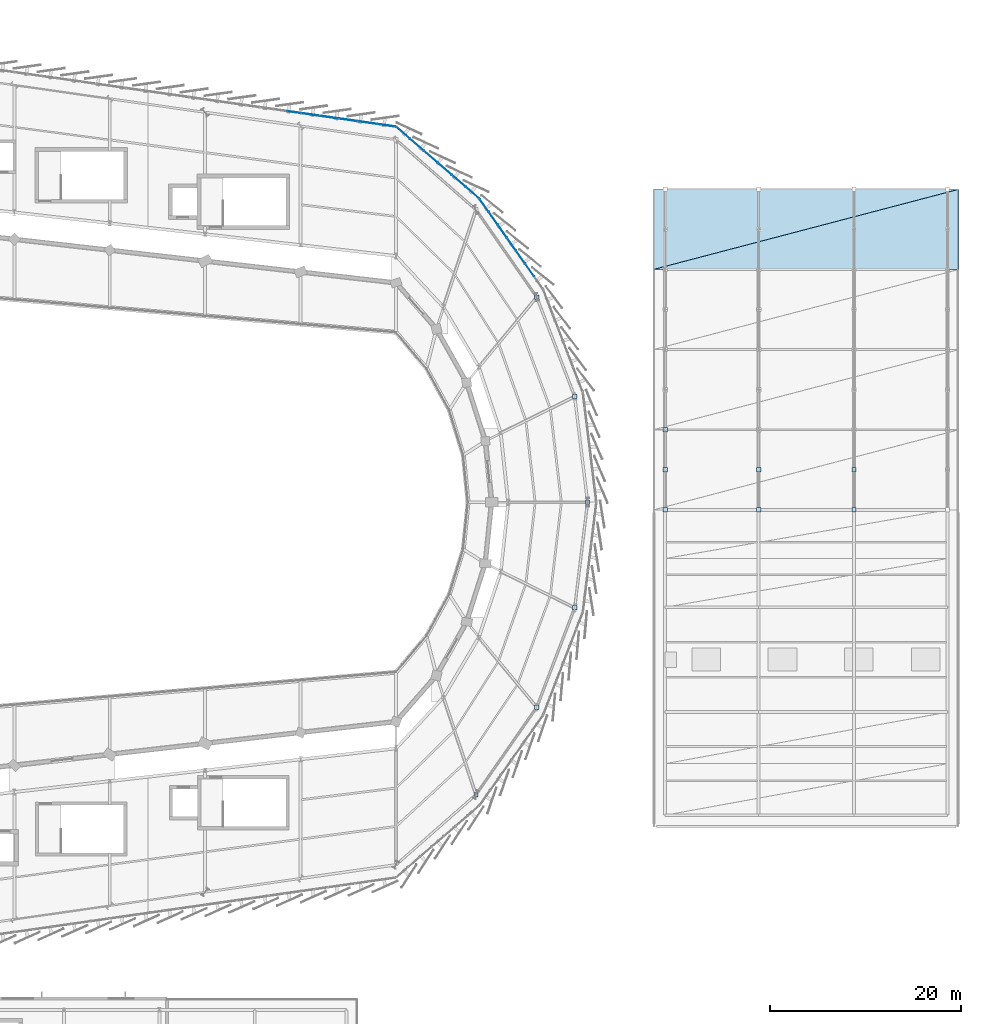
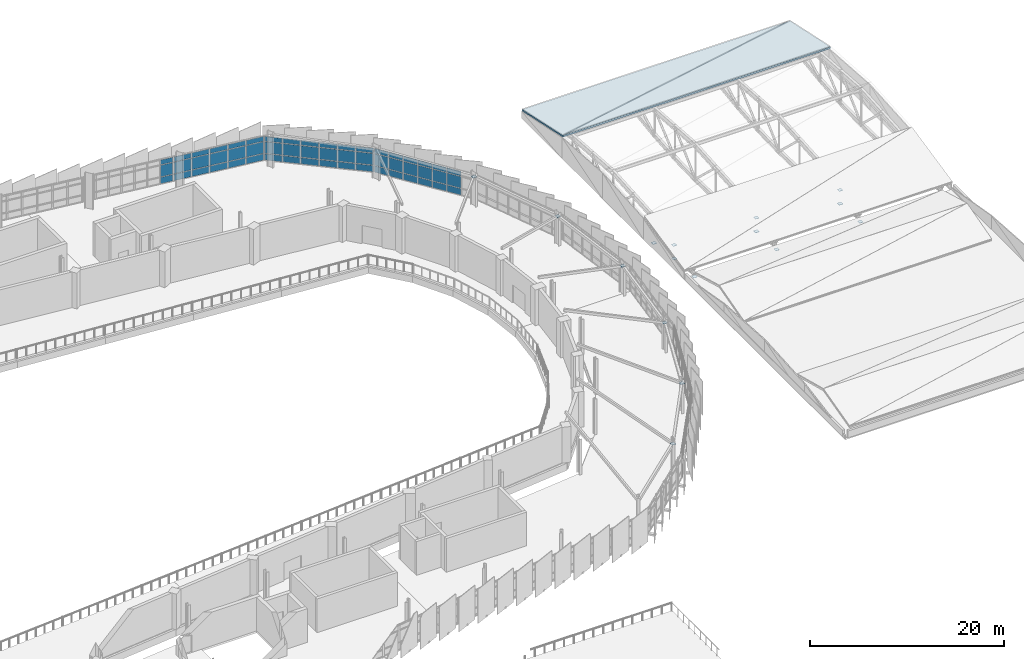
# One storey, part 72 of 87: 70 plates, 2 slabs, 4 elements without a shape of their own.
"""IFC4 building model written with IfcOpenShell, lengths in metres."""

import ifcopenshell
import ifcopenshell.guid

model = None  # the IFC model being written
_history = None  # IfcOwnerHistory: only IFC2X3 demands one
_inside = {}  # id of a spatial element -> (the spatial element, [elements in it])
_under = {}  # id of a project, library or spatial element -> (it, [spatial elements below it])
_declared = {}  # id of a project -> (the project, [libraries it declares])
_typed = {}  # id of a type object -> (the type object, [elements of that type])
_made_of = {}  # id of a material, layer set ... -> (it, [elements and type objects made of it])


def new_model(schema):
    """Start an empty IFC model of exactly this schema.

    Asked for "IFC4X3", IfcOpenShell would pick the latest addendum, in which some entities
    have other attributes; the version numbers below select the first issue.
    IFC2X3 requires an IfcOwnerHistory on every rooted entity: one is made here for all.
    """
    global model, _history
    if schema == "IFC4X3":
        model = ifcopenshell.file(schema_version=(4, 3, 0, 0))
    else:
        model = ifcopenshell.file(schema=schema)
    _inside.clear()
    _under.clear()
    _declared.clear()
    _typed.clear()
    _made_of.clear()
    _history = None
    if model.schema == "IFC2X3":
        org = make("IfcOrganization", Name="unknown")
        user = make(
            "IfcPersonAndOrganization",
            ThePerson=make("IfcPerson", FamilyName="unknown"),
            TheOrganization=org,
        )
        app = make(
            "IfcApplication",
            ApplicationDeveloper=org,
            Version="unknown",
            ApplicationFullName="unknown",
            ApplicationIdentifier="unknown",
        )
        _history = make(
            "IfcOwnerHistory",
            OwningUser=user,
            OwningApplication=app,
            ChangeAction="ADDED",
            CreationDate=0,
        )
    return model


def make(cls, **values):
    """One entity of the class cls with the attributes given. An attribute that is None is left unset."""
    return model.create_entity(
        cls, **{name: value for name, value in values.items() if value is not None}
    )


def rooted(cls, **values):
    """An entity with a GlobalId (a new one), such as an element, a storey or a relation."""
    return make(cls, GlobalId=ifcopenshell.guid.new(), OwnerHistory=_history, **values)


def si_unit(unit_type, name, prefix=None):
    """IfcSIUnit, for example si_unit("LENGTHUNIT", "METRE", prefix="MILLI")."""
    return make("IfcSIUnit", UnitType=unit_type, Prefix=prefix, Name=name)


def assignment(units):
    """IfcUnitAssignment: the units of a project."""
    return None if units is None else make("IfcUnitAssignment", Units=units)


def point(xyz):
    """IfcCartesianPoint."""
    return None if xyz is None else make("IfcCartesianPoint", Coordinates=xyz)


def direction(xyz):
    """IfcDirection."""
    return None if xyz is None else make("IfcDirection", DirectionRatios=xyz)


def frame(location, z_axis=None, x_axis=None):
    """IfcAxis2Placement3D, a coordinate frame: its origin and axes. An axis left out is left unset."""
    return make(
        "IfcAxis2Placement3D",
        Location=point(location),
        Axis=direction(z_axis),
        RefDirection=direction(x_axis),
    )


def frame_2d(location, x_axis=None):
    """IfcAxis2Placement2D, a coordinate frame in the plane: its origin and x axis."""
    return make(
        "IfcAxis2Placement2D", Location=point(location), RefDirection=direction(x_axis)
    )


def origin():
    """The frame at (0, 0, 0) with its axes left unset."""
    return frame((0.0, 0.0, 0.0))


def origin_2d():
    """The frame at (0, 0) in the plane with its x axis left unset."""
    return frame_2d((0.0, 0.0))


def place(relative_to, where):
    """IfcLocalPlacement: puts the frame where relative to a parent placement (None: the world)."""
    return make(
        "IfcLocalPlacement", PlacementRelTo=relative_to, RelativePlacement=where
    )


def context(
    kind, dimensions, precision=None, world=None, true_north=None, identifier=None
):
    """IfcGeometricRepresentationContext, for example the 3D "Model" context."""
    return make(
        "IfcGeometricRepresentationContext",
        ContextIdentifier=identifier,
        ContextType=kind,
        CoordinateSpaceDimension=dimensions,
        Precision=precision,
        WorldCoordinateSystem=world,
        TrueNorth=true_north,
    )


def subcontext(parent, identifier, kind, view, scale=None):
    """IfcGeometricRepresentationSubContext, for example "Body" below "Model"."""
    return make(
        "IfcGeometricRepresentationSubContext",
        ContextIdentifier=identifier,
        ContextType=kind,
        ParentContext=parent,
        TargetScale=scale,
        TargetView=view,
    )


def project(units=None, contexts=None):
    """IfcProject with its units and contexts."""
    return rooted(
        "IfcProject",
        Name="project",
        RepresentationContexts=contexts,
        UnitsInContext=assignment(units),
    )


def spatial(cls, under=None, at=None, **own):
    """A site, building, storey or space (cls), placed at a placement, below another one or the project."""
    s = rooted(cls, ObjectPlacement=at, **own)
    if under is not None:
        _under.setdefault(under.id(), (under, []))[1].append(s)
    return s


def polyline(points):
    """IfcPolyline through the points."""
    return make("IfcPolyline", Points=[point(p) for p in points])


def profile(cls, at=None, kind="AREA", **sizes):
    """A parametric profile (cls). Its sizes go by their IFC names, for example OverallWidth=200.0."""
    return make(cls, ProfileType=kind, Position=at, **sizes)


def rectangle(**sizes):
    """IfcRectangleProfileDef."""
    return profile("IfcRectangleProfileDef", **sizes)


def outline(outer, holes=None, kind="AREA"):
    """IfcArbitraryClosedProfileDef: a profile drawn as a closed curve; with holes, ...WithVoids."""
    if holes is None:
        return make("IfcArbitraryClosedProfileDef", ProfileType=kind, OuterCurve=outer)
    return make(
        "IfcArbitraryProfileDefWithVoids",
        ProfileType=kind,
        OuterCurve=outer,
        InnerCurves=holes,
    )


def extrude(swept, where, along, depth):
    """IfcExtrudedAreaSolid: the profile swept, set in the frame where, extruded along a direction by depth."""
    return make(
        "IfcExtrudedAreaSolid",
        SweptArea=swept,
        Position=where,
        ExtrudedDirection=direction(along),
        Depth=depth,
    )


def shape(context_of_items, identifier, shape_type, items):
    """IfcShapeRepresentation: the items that make up one representation, for example the "Body"."""
    return make(
        "IfcShapeRepresentation",
        ContextOfItems=context_of_items,
        RepresentationIdentifier=identifier,
        RepresentationType=shape_type,
        Items=items,
    )


def material(Name=None, Category=None):
    """IfcMaterial."""
    return make("IfcMaterial", Name=Name, Category=Category)


def layer(
    of_material, thickness, ventilated=None, Name=None, Category=None, Priority=None
):
    """IfcMaterialLayer: one layer of a wall or slab, of a material (None: an air gap)."""
    return make(
        "IfcMaterialLayer",
        Material=of_material,
        LayerThickness=thickness,
        IsVentilated=ventilated,
        Name=Name,
        Category=Category,
        Priority=Priority,
    )


def layer_set(layers, Name=None):
    """IfcMaterialLayerSet."""
    return make("IfcMaterialLayerSet", MaterialLayers=layers, LayerSetName=Name)


def made_of(thing, what):
    """Note that an element or type object is made of a material, layer set ...; save() writes the relation."""
    if what is not None:
        _made_of.setdefault(what.id(), (what, []))[1].append(thing)
    return thing


def type_object(cls, material=None, **own):
    """A type object (cls), such as IfcWallType, which elements share."""
    return made_of(rooted(cls, **own), material)


def element(
    cls,
    number,
    at=None,
    inside=None,
    cuts=None,
    type_object=None,
    material=None,
    context=None,
    identifier="Body",
    shape_type=None,
    held_by="IfcProductDefinitionShape",
    body=None,
    shapes=None,
    **own,
):
    """One element of the class cls, such as IfcWall. Its Tag is "e" and its number.

    at: its placement. inside: the storey or other place that contains it. cuts: it is an
    opening in that element (IfcRelVoidsElement). A single representation is given by context,
    identifier, shape_type and body (its items); several are given by shapes. held_by: the class
    of the entity that holds the representations. save() writes the other relations.
    """
    e = rooted(cls, Tag="e%d" % number, ObjectPlacement=at, **own)
    if body is not None:
        shapes = [shape(context, identifier, shape_type, body)]
    if shapes is not None:
        e.Representation = make(held_by, Representations=shapes)
    if inside is not None:
        _inside.setdefault(inside.id(), (inside, []))[1].append(e)
    if cuts is not None:
        rooted(
            "IfcRelVoidsElement", RelatingBuildingElement=cuts, RelatedOpeningElement=e
        )
    if type_object is not None:
        _typed.setdefault(type_object.id(), (type_object, []))[1].append(e)
    return made_of(e, material)


def aggregate(whole, parts):
    """IfcRelAggregates: a whole, such as a stair, and the parts it consists of."""
    return rooted("IfcRelAggregates", RelatingObject=whole, RelatedObjects=parts)


def save(model, path):
    """Write the relations noted so far, then the file.

    IfcRelAggregates (storeys below a building ...), IfcRelContainedInSpatialStructure (elements
    in a storey), IfcRelDefinesByType, IfcRelAssociatesMaterial and IfcRelDeclares: one each for
    every whole, place, type object, material and project.
    """
    for whole, parts in _under.values():
        aggregate(whole, parts)
    for where, things in _inside.values():
        rooted(
            "IfcRelContainedInSpatialStructure",
            RelatedElements=things,
            RelatingStructure=where,
        )
    for kind, things in _typed.values():
        rooted("IfcRelDefinesByType", RelatedObjects=things, RelatingType=kind)
    for what, things in _made_of.values():
        rooted("IfcRelAssociatesMaterial", RelatedObjects=things, RelatingMaterial=what)
    for by, libraries in _declared.values():
        rooted("IfcRelDeclares", RelatingContext=by, RelatedDefinitions=libraries)
    model.write(path)


model = new_model("IFC4")

# Units and contexts
model_context = context("Model", 3, precision=1e-05, world=origin(), true_north=direction((0.0, 1.0)))
body_context = subcontext(model_context, "Body", "Model", "MODEL_VIEW")
ifc_project = project(units=[si_unit("LENGTHUNIT", "METRE"), si_unit("AREAUNIT", "SQUARE_METRE"), si_unit("VOLUMEUNIT", "CUBIC_METRE"), si_unit("PLANEANGLEUNIT", "RADIAN"), si_unit("MASSUNIT", "GRAM", prefix="KILO")], contexts=[model_context])

# Site, building, storey
site_placement = place(None, origin())
site = spatial("IfcSite", under=ifc_project, at=site_placement, CompositionType="ELEMENT")
building_placement = place(site_placement, origin())
building = spatial("IfcBuilding", under=site, at=building_placement, Name="Sohan Crest Arena", CompositionType="ELEMENT")
storey_placement = place(building_placement, frame((0.0, 0.0, 18.0)))
storey = spatial("IfcBuildingStorey", under=building, at=storey_placement, Name="L04", CompositionType="ELEMENT", Elevation=18.0)

# Curtain wall, plates
ifc_material_1 = material(Name="Thermally broken anodised aluminium", Category="aluminium")
ifc_layer_1 = layer(ifc_material_1, 0.18994140625, Name="Thermally broken anodised aluminium")
ifc_layer_set_1 = layer_set([ifc_layer_1], Name="Thermally broken anodised aluminium")
curtain_wall_type_1 = type_object("IfcCurtainWallType", Name="ARC-CW05", PredefinedType="NOTDEFINED", material=ifc_layer_set_1)
curtain_wall_1_placement = place(storey_placement, origin())
curtain_wall_1 = element("IfcCurtainWall", 1, at=curtain_wall_1_placement, inside=storey, type_object=curtain_wall_type_1, Name="Unitised curtain wall CW-140", PredefinedType="NOTDEFINED")
ifc_material_2 = material(Name="Low-E double-glazed insulated glass", Category="glass")
ifc_layer_2 = layer(ifc_material_2, 0.028076171875, Name="Low-E double-glazed insulated glass")
ifc_layer_set_2 = layer_set([ifc_layer_2], Name="Low-E double-glazed insulated glass")
plate_type_1 = type_object("IfcPlateType", Name="ARC-CNP01", PredefinedType="CURTAIN_PANEL", material=ifc_layer_set_2)
plate_1_placement = place(storey_placement, frame((157.270751953125, 118.883056640625, 0.06494140625), z_axis=(0.0, 0.0, 1.0), x_axis=(-0.989957411768, 0.141365918403, 0.0)))
plate_1 = element("IfcPlate", 2, at=plate_1_placement, type_object=plate_type_1, Name="CW-140 panel 1.1", PredefinedType="CURTAIN_PANEL", context=body_context, shape_type="SweptSolid", body=[
    extrude(rectangle(XDim=1.35302734375, YDim=0.028076171875, at=origin_2d()), origin(), (0.0, 0.0, 1.0), 0.802490234375),
])
plate_2_placement = place(storey_placement, frame((157.270751953125, 118.883056640625, 0.932373046875), z_axis=(0.0, 0.0, 1.0), x_axis=(-0.989957411768, 0.141365918403, 0.0)))
plate_2 = element("IfcPlate", 3, at=plate_2_placement, type_object=plate_type_1, Name="CW-140 panel 1.2", PredefinedType="CURTAIN_PANEL", context=body_context, shape_type="SweptSolid", body=[
    extrude(rectangle(XDim=1.35302734375, YDim=0.028076171875, at=origin_2d()), origin(), (0.0, 0.0, 1.0), 1.455078125),
])
plate_3_placement = place(storey_placement, frame((157.270751953125, 118.883056640625, 2.452392578125), z_axis=(0.0, 0.0, 1.0), x_axis=(-0.989957411768, 0.141365918403, 0.0)))
plate_3 = element("IfcPlate", 4, at=plate_3_placement, type_object=plate_type_1, Name="CW-140 panel 1.3", PredefinedType="CURTAIN_PANEL", context=body_context, shape_type="SweptSolid", body=[
    extrude(rectangle(XDim=1.35302734375, YDim=0.028076171875, at=origin_2d()), origin(), (0.0, 0.0, 1.0), 0.6025390625),
])
aggregate(curtain_wall_1, [plate_1, plate_2, plate_3])

ifc_layer_3 = layer(ifc_material_1, 0.199951171875, Name="Thermally broken anodised aluminium")
ifc_layer_set_3 = layer_set([ifc_layer_3], Name="Thermally broken anodised aluminium")
curtain_wall_type_2 = type_object("IfcCurtainWallType", Name="ARC-CW02", PredefinedType="NOTDEFINED", material=ifc_layer_set_3)
curtain_wall_2_placement = place(storey_placement, origin())
curtain_wall_2 = element("IfcCurtainWall", 5, at=curtain_wall_2_placement, inside=storey, type_object=curtain_wall_type_2, Name="Unitised curtain wall CW-137", PredefinedType="NOTDEFINED")
ifc_layer_4 = layer(ifc_material_2, 0.031982421875, Name="Low-E double-glazed insulated glass")
ifc_layer_set_4 = layer_set([ifc_layer_4], Name="Low-E double-glazed insulated glass")
plate_type_2 = type_object("IfcPlateType", Name="ARC-CNP02", PredefinedType="CURTAIN_PANEL", material=ifc_layer_set_4)
plate_4_placement = place(storey_placement, frame((182.002685546875, 102.3349609375, 0.06494140625), z_axis=(0.0, 0.0, 1.0), x_axis=(-0.575424969546, 0.817854574128, 0.0)))
plate_4 = element("IfcPlate", 6, at=plate_4_placement, type_object=plate_type_2, Name="CW-137 panel 2.1", PredefinedType="CURTAIN_PANEL", context=body_context, shape_type="SweptSolid", body=[
    extrude(rectangle(XDim=1.589599609375, YDim=0.031982421875, at=origin_2d()), origin(), (0.0, 0.0, 1.0), 0.802490234375),
])
plate_5_placement = place(storey_placement, frame((182.002685546875, 102.3349609375, 0.932373046875), z_axis=(0.0, 0.0, 1.0), x_axis=(-0.575424969546, 0.817854574128, 0.0)))
plate_5 = element("IfcPlate", 7, at=plate_5_placement, type_object=plate_type_2, Name="CW-137 panel 2.2", PredefinedType="CURTAIN_PANEL", context=body_context, shape_type="SweptSolid", body=[
    extrude(rectangle(XDim=1.589599609375, YDim=0.031982421875, at=origin_2d()), origin(), (0.0, 0.0, 1.0), 1.455078125),
])
plate_6_placement = place(storey_placement, frame((182.002685546875, 102.3349609375, 2.452392578125), z_axis=(0.0, 0.0, 1.0), x_axis=(-0.575424969546, 0.817854574128, 0.0)))
plate_6 = element("IfcPlate", 8, at=plate_6_placement, type_object=plate_type_2, Name="CW-137 panel 2.3", PredefinedType="CURTAIN_PANEL", context=body_context, shape_type="SweptSolid", body=[
    extrude(rectangle(XDim=1.589599609375, YDim=0.031982421875, at=origin_2d()), origin(), (0.0, 0.0, 1.0), 0.6025390625),
])
plate_7_placement = place(storey_placement, frame((181.050537109375, 103.688232421875, 0.06494140625), z_axis=(0.0, 0.0, 1.0), x_axis=(-0.575424969546, 0.817854574128, 0.0)))
plate_7 = element("IfcPlate", 9, at=plate_7_placement, type_object=plate_type_2, Name="CW-137 panel 3.1", PredefinedType="CURTAIN_PANEL", context=body_context, shape_type="SweptSolid", body=[
    extrude(rectangle(XDim=1.589599609375, YDim=0.031982421875, at=origin_2d()), origin(), (0.0, 0.0, 1.0), 0.802490234375),
])
plate_8_placement = place(storey_placement, frame((181.050537109375, 103.688232421875, 0.932373046875), z_axis=(0.0, 0.0, 1.0), x_axis=(-0.575424969546, 0.817854574128, 0.0)))
plate_8 = element("IfcPlate", 10, at=plate_8_placement, type_object=plate_type_2, Name="CW-137 panel 3.2", PredefinedType="CURTAIN_PANEL", context=body_context, shape_type="SweptSolid", body=[
    extrude(rectangle(XDim=1.589599609375, YDim=0.031982421875, at=origin_2d()), origin(), (0.0, 0.0, 1.0), 1.455078125),
])
plate_9_placement = place(storey_placement, frame((181.050537109375, 103.688232421875, 2.452392578125), z_axis=(0.0, 0.0, 1.0), x_axis=(-0.575424969546, 0.817854574128, 0.0)))
plate_9 = element("IfcPlate", 11, at=plate_9_placement, type_object=plate_type_2, Name="CW-137 panel 3.3", PredefinedType="CURTAIN_PANEL", context=body_context, shape_type="SweptSolid", body=[
    extrude(rectangle(XDim=1.589599609375, YDim=0.031982421875, at=origin_2d()), origin(), (0.0, 0.0, 1.0), 0.6025390625),
])
plate_10_placement = place(storey_placement, frame((180.098388671875, 105.04150390625, 0.06494140625), z_axis=(0.0, 0.0, 1.0), x_axis=(-0.575424969546, 0.817854574128, 0.0)))
plate_10 = element("IfcPlate", 12, at=plate_10_placement, type_object=plate_type_2, Name="CW-137 panel 4.1", PredefinedType="CURTAIN_PANEL", context=body_context, shape_type="SweptSolid", body=[
    extrude(rectangle(XDim=1.589599609375, YDim=0.031982421875, at=origin_2d()), origin(), (0.0, 0.0, 1.0), 0.802490234375),
])
plate_11_placement = place(storey_placement, frame((180.098388671875, 105.04150390625, 0.932373046875), z_axis=(0.0, 0.0, 1.0), x_axis=(-0.575424969546, 0.817854574128, 0.0)))
plate_11 = element("IfcPlate", 13, at=plate_11_placement, type_object=plate_type_2, Name="CW-137 panel 4.2", PredefinedType="CURTAIN_PANEL", context=body_context, shape_type="SweptSolid", body=[
    extrude(rectangle(XDim=1.589599609375, YDim=0.031982421875, at=origin_2d()), origin(), (0.0, 0.0, 1.0), 1.455078125),
])
plate_12_placement = place(storey_placement, frame((180.098388671875, 105.04150390625, 2.452392578125), z_axis=(0.0, 0.0, 1.0), x_axis=(-0.575424969546, 0.817854574128, 0.0)))
plate_12 = element("IfcPlate", 14, at=plate_12_placement, type_object=plate_type_2, Name="CW-137 panel 4.3", PredefinedType="CURTAIN_PANEL", context=body_context, shape_type="SweptSolid", body=[
    extrude(rectangle(XDim=1.589599609375, YDim=0.031982421875, at=origin_2d()), origin(), (0.0, 0.0, 1.0), 0.6025390625),
])
plate_13_placement = place(storey_placement, frame((179.146240234375, 106.394775390625, 0.06494140625), z_axis=(0.0, 0.0, 1.0), x_axis=(-0.575424969546, 0.817854574128, 0.0)))
plate_13 = element("IfcPlate", 15, at=plate_13_placement, type_object=plate_type_2, Name="CW-137 panel 5.1", PredefinedType="CURTAIN_PANEL", context=body_context, shape_type="SweptSolid", body=[
    extrude(rectangle(XDim=1.589599609375, YDim=0.031982421875, at=origin_2d()), origin(), (0.0, 0.0, 1.0), 0.802490234375),
])
plate_14_placement = place(storey_placement, frame((179.146240234375, 106.394775390625, 0.932373046875), z_axis=(0.0, 0.0, 1.0), x_axis=(-0.575424969546, 0.817854574128, 0.0)))
plate_14 = element("IfcPlate", 16, at=plate_14_placement, type_object=plate_type_2, Name="CW-137 panel 5.2", PredefinedType="CURTAIN_PANEL", context=body_context, shape_type="SweptSolid", body=[
    extrude(rectangle(XDim=1.589599609375, YDim=0.031982421875, at=origin_2d()), origin(), (0.0, 0.0, 1.0), 1.455078125),
])
plate_15_placement = place(storey_placement, frame((179.146240234375, 106.394775390625, 2.452392578125), z_axis=(0.0, 0.0, 1.0), x_axis=(-0.575424969546, 0.817854574128, 0.0)))
plate_15 = element("IfcPlate", 17, at=plate_15_placement, type_object=plate_type_2, Name="CW-137 panel 5.3", PredefinedType="CURTAIN_PANEL", context=body_context, shape_type="SweptSolid", body=[
    extrude(rectangle(XDim=1.589599609375, YDim=0.031982421875, at=origin_2d()), origin(), (0.0, 0.0, 1.0), 0.6025390625),
])
plate_16_placement = place(storey_placement, frame((178.1943359375, 107.748046875, 0.06494140625), z_axis=(0.0, 0.0, 1.0), x_axis=(-0.575424969546, 0.817854574128, 0.0)))
plate_16 = element("IfcPlate", 18, at=plate_16_placement, type_object=plate_type_2, Name="CW-137 panel 6.1", PredefinedType="CURTAIN_PANEL", context=body_context, shape_type="SweptSolid", body=[
    extrude(rectangle(XDim=1.589599609375, YDim=0.031982421875, at=origin_2d()), origin(), (0.0, 0.0, 1.0), 0.802490234375),
])
plate_17_placement = place(storey_placement, frame((178.1943359375, 107.748046875, 0.932373046875), z_axis=(0.0, 0.0, 1.0), x_axis=(-0.575424969546, 0.817854574128, 0.0)))
plate_17 = element("IfcPlate", 19, at=plate_17_placement, type_object=plate_type_2, Name="CW-137 panel 6.2", PredefinedType="CURTAIN_PANEL", context=body_context, shape_type="SweptSolid", body=[
    extrude(rectangle(XDim=1.589599609375, YDim=0.031982421875, at=origin_2d()), origin(), (0.0, 0.0, 1.0), 1.455078125),
])
plate_18_placement = place(storey_placement, frame((178.1943359375, 107.748046875, 2.452392578125), z_axis=(0.0, 0.0, 1.0), x_axis=(-0.575424969546, 0.817854574128, 0.0)))
plate_18 = element("IfcPlate", 20, at=plate_18_placement, type_object=plate_type_2, Name="CW-137 panel 6.3", PredefinedType="CURTAIN_PANEL", context=body_context, shape_type="SweptSolid", body=[
    extrude(rectangle(XDim=1.589599609375, YDim=0.031982421875, at=origin_2d()), origin(), (0.0, 0.0, 1.0), 0.6025390625),
])
plate_19_placement = place(storey_placement, frame((177.25146484375, 109.088134765625, 0.06494140625), z_axis=(0.0, 0.0, 1.0), x_axis=(-0.575424969546, 0.817854574128, 0.0)))
plate_19 = element("IfcPlate", 21, at=plate_19_placement, type_object=plate_type_2, Name="CW-137 panel 7.1", PredefinedType="CURTAIN_PANEL", context=body_context, shape_type="SweptSolid", body=[
    extrude(rectangle(XDim=1.55712890625, YDim=0.031982421875, at=origin_2d()), origin(), (0.0, 0.0, 1.0), 0.802490234375),
])
plate_20_placement = place(storey_placement, frame((177.25146484375, 109.088134765625, 0.932373046875), z_axis=(0.0, 0.0, 1.0), x_axis=(-0.575424969546, 0.817854574128, 0.0)))
plate_20 = element("IfcPlate", 22, at=plate_20_placement, type_object=plate_type_2, Name="CW-137 panel 7.2", PredefinedType="CURTAIN_PANEL", context=body_context, shape_type="SweptSolid", body=[
    extrude(rectangle(XDim=1.55712890625, YDim=0.031982421875, at=origin_2d()), origin(), (0.0, 0.0, 1.0), 1.455078125),
])
plate_21_placement = place(storey_placement, frame((177.25146484375, 109.088134765625, 2.452392578125), z_axis=(0.0, 0.0, 1.0), x_axis=(-0.575424969546, 0.817854574128, 0.0)))
plate_21 = element("IfcPlate", 23, at=plate_21_placement, type_object=plate_type_2, Name="CW-137 panel 7.3", PredefinedType="CURTAIN_PANEL", context=body_context, shape_type="SweptSolid", body=[
    extrude(rectangle(XDim=1.55712890625, YDim=0.031982421875, at=origin_2d()), origin(), (0.0, 0.0, 1.0), 0.6025390625),
])
aggregate(curtain_wall_2, [plate_4, plate_5, plate_6, plate_7, plate_8, plate_9, plate_10, plate_11, plate_12, plate_13, plate_14, plate_15, plate_16, plate_17, plate_18, plate_19, plate_20, plate_21])

ifc_layer_5 = layer(ifc_material_1, 0.219970703125, Name="Thermally broken anodised aluminium")
ifc_layer_set_5 = layer_set([ifc_layer_5], Name="Thermally broken anodised aluminium")
curtain_wall_type_3 = type_object("IfcCurtainWallType", Name="ARC-CW03", PredefinedType="NOTDEFINED", material=ifc_layer_set_5)
curtain_wall_3_placement = place(storey_placement, origin())
curtain_wall_3 = element("IfcCurtainWall", 24, at=curtain_wall_3_placement, inside=storey, type_object=curtain_wall_type_3, Name="Unitised curtain wall CW-138", PredefinedType="NOTDEFINED")
ifc_material_3 = material(Name="Ceramic-fritted solar-control insulated glass", Category="glass")
ifc_layer_6 = layer(ifc_material_3, 0.035888671875, Name="Ceramic-fritted solar-control insulated glass")
ifc_layer_set_6 = layer_set([ifc_layer_6], Name="Ceramic-fritted solar-control insulated glass")
plate_type_3 = type_object("IfcPlateType", Name="ARC-CNP03", PredefinedType="CURTAIN_PANEL", material=ifc_layer_set_6)
plate_22_placement = place(storey_placement, frame((176.022216796875, 110.42041015625, 0.070068359375), z_axis=(0.0, 0.0, 1.0), x_axis=(-0.756764770633, 0.653687296748, 0.0)))
plate_22 = element("IfcPlate", 25, at=plate_22_placement, type_object=plate_type_3, Name="CW-138 panel 1.1", PredefinedType="CURTAIN_PANEL", context=body_context, shape_type="SweptSolid", body=[
    extrude(rectangle(XDim=1.82568359375, YDim=0.035888671875, at=origin_2d()), origin(), (0.0, 0.0, 1.0), 0.794921875),
])
plate_23_placement = place(storey_placement, frame((176.022216796875, 110.42041015625, 0.93505859375), z_axis=(0.0, 0.0, 1.0), x_axis=(-0.756764770633, 0.653687296748, 0.0)))
plate_23 = element("IfcPlate", 26, at=plate_23_placement, type_object=plate_type_3, Name="CW-138 panel 1.2", PredefinedType="CURTAIN_PANEL", context=body_context, shape_type="SweptSolid", body=[
    extrude(rectangle(XDim=1.82568359375, YDim=0.035888671875, at=origin_2d()), origin(), (0.0, 0.0, 1.0), 1.449951171875),
])
plate_24_placement = place(storey_placement, frame((176.022216796875, 110.42041015625, 2.455078125), z_axis=(0.0, 0.0, 1.0), x_axis=(-0.756764770633, 0.653687296748, 0.0)))
plate_24 = element("IfcPlate", 27, at=plate_24_placement, type_object=plate_type_3, Name="CW-138 panel 1.3", PredefinedType="CURTAIN_PANEL", context=body_context, shape_type="SweptSolid", body=[
    extrude(rectangle(XDim=1.82568359375, YDim=0.035888671875, at=origin_2d()), origin(), (0.0, 0.0, 1.0), 0.594970703125),
])
plate_25_placement = place(storey_placement, frame((174.574462890625, 111.6708984375, 0.070068359375), z_axis=(0.0, 0.0, 1.0), x_axis=(-0.756764770633, 0.653687296748, 0.0)))
plate_25 = element("IfcPlate", 28, at=plate_25_placement, type_object=plate_type_3, Name="CW-138 panel 2.1", PredefinedType="CURTAIN_PANEL", context=body_context, shape_type="SweptSolid", body=[
    extrude(rectangle(XDim=1.860595703125, YDim=0.035888671875, at=origin_2d()), origin(), (0.0, 0.0, 1.0), 0.794921875),
])
plate_26_placement = place(storey_placement, frame((174.574462890625, 111.6708984375, 0.93505859375), z_axis=(0.0, 0.0, 1.0), x_axis=(-0.756764770633, 0.653687296748, 0.0)))
plate_26 = element("IfcPlate", 29, at=plate_26_placement, type_object=plate_type_3, Name="CW-138 panel 2.2", PredefinedType="CURTAIN_PANEL", context=body_context, shape_type="SweptSolid", body=[
    extrude(rectangle(XDim=1.860595703125, YDim=0.035888671875, at=origin_2d()), origin(), (0.0, 0.0, 1.0), 1.449951171875),
])
plate_27_placement = place(storey_placement, frame((174.574462890625, 111.6708984375, 2.455078125), z_axis=(0.0, 0.0, 1.0), x_axis=(-0.756764770633, 0.653687296748, 0.0)))
plate_27 = element("IfcPlate", 30, at=plate_27_placement, type_object=plate_type_3, Name="CW-138 panel 2.3", PredefinedType="CURTAIN_PANEL", context=body_context, shape_type="SweptSolid", body=[
    extrude(rectangle(XDim=1.860595703125, YDim=0.035888671875, at=origin_2d()), origin(), (0.0, 0.0, 1.0), 0.594970703125),
])
plate_28_placement = place(storey_placement, frame((173.113525390625, 112.93310546875, 0.070068359375), z_axis=(0.0, 0.0, 1.0), x_axis=(-0.756764770633, 0.653687296748, 0.0)))
plate_28 = element("IfcPlate", 31, at=plate_28_placement, type_object=plate_type_3, Name="CW-138 panel 3.1", PredefinedType="CURTAIN_PANEL", context=body_context, shape_type="SweptSolid", body=[
    extrude(rectangle(XDim=1.860595703125, YDim=0.035888671875, at=origin_2d()), origin(), (0.0, 0.0, 1.0), 0.794921875),
])
plate_29_placement = place(storey_placement, frame((173.113525390625, 112.93310546875, 0.93505859375), z_axis=(0.0, 0.0, 1.0), x_axis=(-0.756764770633, 0.653687296748, 0.0)))
plate_29 = element("IfcPlate", 32, at=plate_29_placement, type_object=plate_type_3, Name="CW-138 panel 3.2", PredefinedType="CURTAIN_PANEL", context=body_context, shape_type="SweptSolid", body=[
    extrude(rectangle(XDim=1.860595703125, YDim=0.035888671875, at=origin_2d()), origin(), (0.0, 0.0, 1.0), 1.449951171875),
])
plate_30_placement = place(storey_placement, frame((173.113525390625, 112.93310546875, 2.455078125), z_axis=(0.0, 0.0, 1.0), x_axis=(-0.756764770633, 0.653687296748, 0.0)))
plate_30 = element("IfcPlate", 33, at=plate_30_placement, type_object=plate_type_3, Name="CW-138 panel 3.3", PredefinedType="CURTAIN_PANEL", context=body_context, shape_type="SweptSolid", body=[
    extrude(rectangle(XDim=1.860595703125, YDim=0.035888671875, at=origin_2d()), origin(), (0.0, 0.0, 1.0), 0.594970703125),
])
plate_31_placement = place(storey_placement, frame((171.652587890625, 114.195068359375, 0.070068359375), z_axis=(0.0, 0.0, 1.0), x_axis=(-0.756764770633, 0.653687296748, 0.0)))
plate_31 = element("IfcPlate", 34, at=plate_31_placement, type_object=plate_type_3, Name="CW-138 panel 4.1", PredefinedType="CURTAIN_PANEL", context=body_context, shape_type="SweptSolid", body=[
    extrude(rectangle(XDim=1.860595703125, YDim=0.035888671875, at=origin_2d()), origin(), (0.0, 0.0, 1.0), 0.794921875),
])
plate_32_placement = place(storey_placement, frame((171.652587890625, 114.195068359375, 0.93505859375), z_axis=(0.0, 0.0, 1.0), x_axis=(-0.756764770633, 0.653687296748, 0.0)))
plate_32 = element("IfcPlate", 35, at=plate_32_placement, type_object=plate_type_3, Name="CW-138 panel 4.2", PredefinedType="CURTAIN_PANEL", context=body_context, shape_type="SweptSolid", body=[
    extrude(rectangle(XDim=1.860595703125, YDim=0.035888671875, at=origin_2d()), origin(), (0.0, 0.0, 1.0), 1.449951171875),
])
plate_33_placement = place(storey_placement, frame((171.652587890625, 114.195068359375, 2.455078125), z_axis=(0.0, 0.0, 1.0), x_axis=(-0.756764770633, 0.653687296748, 0.0)))
plate_33 = element("IfcPlate", 36, at=plate_33_placement, type_object=plate_type_3, Name="CW-138 panel 4.3", PredefinedType="CURTAIN_PANEL", context=body_context, shape_type="SweptSolid", body=[
    extrude(rectangle(XDim=1.860595703125, YDim=0.035888671875, at=origin_2d()), origin(), (0.0, 0.0, 1.0), 0.594970703125),
])
plate_34_placement = place(storey_placement, frame((170.19140625, 115.45703125, 0.070068359375), z_axis=(0.0, 0.0, 1.0), x_axis=(-0.756764770633, 0.653687296748, 0.0)))
plate_34 = element("IfcPlate", 37, at=plate_34_placement, type_object=plate_type_3, Name="CW-138 panel 5.1", PredefinedType="CURTAIN_PANEL", context=body_context, shape_type="SweptSolid", body=[
    extrude(rectangle(XDim=1.860595703125, YDim=0.035888671875, at=origin_2d()), origin(), (0.0, 0.0, 1.0), 0.794921875),
])
plate_35_placement = place(storey_placement, frame((170.19140625, 115.45703125, 0.93505859375), z_axis=(0.0, 0.0, 1.0), x_axis=(-0.756764770633, 0.653687296748, 0.0)))
plate_35 = element("IfcPlate", 38, at=plate_35_placement, type_object=plate_type_3, Name="CW-138 panel 5.2", PredefinedType="CURTAIN_PANEL", context=body_context, shape_type="SweptSolid", body=[
    extrude(rectangle(XDim=1.860595703125, YDim=0.035888671875, at=origin_2d()), origin(), (0.0, 0.0, 1.0), 1.449951171875),
])
plate_36_placement = place(storey_placement, frame((170.19140625, 115.45703125, 2.455078125), z_axis=(0.0, 0.0, 1.0), x_axis=(-0.756764770633, 0.653687296748, 0.0)))
plate_36 = element("IfcPlate", 39, at=plate_36_placement, type_object=plate_type_3, Name="CW-138 panel 5.3", PredefinedType="CURTAIN_PANEL", context=body_context, shape_type="SweptSolid", body=[
    extrude(rectangle(XDim=1.860595703125, YDim=0.035888671875, at=origin_2d()), origin(), (0.0, 0.0, 1.0), 0.594970703125),
])
plate_37_placement = place(storey_placement, frame((168.74365234375, 116.70751953125, 0.070068359375), z_axis=(0.0, 0.0, 1.0), x_axis=(-0.756764770633, 0.653687296748, 0.0)))
plate_37 = element("IfcPlate", 40, at=plate_37_placement, type_object=plate_type_3, Name="CW-138 panel 6.1", PredefinedType="CURTAIN_PANEL", context=body_context, shape_type="SweptSolid", body=[
    extrude(rectangle(XDim=1.82568359375, YDim=0.035888671875, at=origin_2d()), origin(), (0.0, 0.0, 1.0), 0.794921875),
])
plate_38_placement = place(storey_placement, frame((168.74365234375, 116.70751953125, 0.93505859375), z_axis=(0.0, 0.0, 1.0), x_axis=(-0.756764770633, 0.653687296748, 0.0)))
plate_38 = element("IfcPlate", 41, at=plate_38_placement, type_object=plate_type_3, Name="CW-138 panel 6.2", PredefinedType="CURTAIN_PANEL", context=body_context, shape_type="SweptSolid", body=[
    extrude(rectangle(XDim=1.82568359375, YDim=0.035888671875, at=origin_2d()), origin(), (0.0, 0.0, 1.0), 1.449951171875),
])
plate_39_placement = place(storey_placement, frame((168.74365234375, 116.70751953125, 2.455078125), z_axis=(0.0, 0.0, 1.0), x_axis=(-0.756764770633, 0.653687296748, 0.0)))
plate_39 = element("IfcPlate", 42, at=plate_39_placement, type_object=plate_type_3, Name="CW-138 panel 6.3", PredefinedType="CURTAIN_PANEL", context=body_context, shape_type="SweptSolid", body=[
    extrude(rectangle(XDim=1.82568359375, YDim=0.035888671875, at=origin_2d()), origin(), (0.0, 0.0, 1.0), 0.594970703125),
])
aggregate(curtain_wall_3, [plate_22, plate_23, plate_24, plate_25, plate_26, plate_27, plate_28, plate_29, plate_30, plate_31, plate_32, plate_33, plate_34, plate_35, plate_36, plate_37, plate_38, plate_39])

ifc_layer_7 = layer(ifc_material_1, 0.239990234375, Name="Thermally broken anodised aluminium")
ifc_layer_set_7 = layer_set([ifc_layer_7], Name="Thermally broken anodised aluminium")
curtain_wall_type_4 = type_object("IfcCurtainWallType", Name="ARC-CW04", PredefinedType="NOTDEFINED", material=ifc_layer_set_7)
curtain_wall_4_placement = place(storey_placement, origin())
curtain_wall_4 = element("IfcCurtainWall", 43, at=curtain_wall_4_placement, inside=storey, type_object=curtain_wall_type_4, Name="Unitised curtain wall CW-139", PredefinedType="NOTDEFINED")
ifc_material_4 = material(Name="Insulated polychrome ceramic spandrel panel", Category="masonry")
ifc_layer_8 = layer(ifc_material_4, 0.0419921875, Name="Insulated polychrome ceramic spandrel panel")
ifc_layer_set_8 = layer_set([ifc_layer_8], Name="Insulated polychrome ceramic spandrel panel")
plate_type_4 = type_object("IfcPlateType", Name="ARC-CNP04", PredefinedType="CURTAIN_PANEL", material=ifc_layer_set_8)
plate_40_placement = place(storey_placement, frame((166.9814453125, 117.49560546875, 0.06005859375), z_axis=(0.0, 0.0, 1.0), x_axis=(-0.989943553128, 0.141462933734, 0.0)))
plate_40 = element("IfcPlate", 44, at=plate_40_placement, type_object=plate_type_4, Name="CW-139 panel 1.1", PredefinedType="CURTAIN_PANEL", context=body_context, shape_type="SweptSolid", body=[
    extrude(rectangle(XDim=1.90771484375, YDim=0.0419921875, at=origin_2d()), origin(), (0.0, 0.0, 1.0), 0.81005859375),
])
plate_41_placement = place(storey_placement, frame((166.9814453125, 117.49560546875, 0.929931640625), z_axis=(0.0, 0.0, 1.0), x_axis=(-0.989943553128, 0.141462933734, 0.0)))
plate_41 = element("IfcPlate", 45, at=plate_41_placement, type_object=plate_type_4, Name="CW-139 panel 1.2", PredefinedType="CURTAIN_PANEL", context=body_context, shape_type="SweptSolid", body=[
    extrude(rectangle(XDim=1.90771484375, YDim=0.0419921875, at=origin_2d()), origin(), (0.0, 0.0, 1.0), 1.4599609375),
])
plate_42_placement = place(storey_placement, frame((166.9814453125, 117.49560546875, 2.44970703125), z_axis=(0.0, 0.0, 1.0), x_axis=(-0.989943553128, 0.141462933734, 0.0)))
plate_42 = element("IfcPlate", 46, at=plate_42_placement, type_object=plate_type_4, Name="CW-139 panel 1.3", PredefinedType="CURTAIN_PANEL", context=body_context, shape_type="SweptSolid", body=[
    extrude(rectangle(XDim=1.90771484375, YDim=0.0419921875, at=origin_2d()), origin(), (0.0, 0.0, 1.0), 0.610107421875),
])
plate_43_placement = place(storey_placement, frame((165.0, 117.77880859375, 0.06005859375), z_axis=(0.0, 0.0, 1.0), x_axis=(-0.989943553128, 0.141462933734, 0.0)))
plate_43 = element("IfcPlate", 47, at=plate_43_placement, type_object=plate_type_4, Name="CW-139 panel 2.1", PredefinedType="CURTAIN_PANEL", context=body_context, shape_type="SweptSolid", body=[
    extrude(rectangle(XDim=1.9453125, YDim=0.0419921875, at=origin_2d()), origin(), (0.0, 0.0, 1.0), 0.81005859375),
])
plate_44_placement = place(storey_placement, frame((165.0, 117.77880859375, 0.929931640625), z_axis=(0.0, 0.0, 1.0), x_axis=(-0.989943553128, 0.141462933734, 0.0)))
plate_44 = element("IfcPlate", 48, at=plate_44_placement, type_object=plate_type_4, Name="CW-139 panel 2.2", PredefinedType="CURTAIN_PANEL", context=body_context, shape_type="SweptSolid", body=[
    extrude(rectangle(XDim=1.9453125, YDim=0.0419921875, at=origin_2d()), origin(), (0.0, 0.0, 1.0), 1.4599609375),
])
plate_45_placement = place(storey_placement, frame((165.0, 117.77880859375, 2.44970703125), z_axis=(0.0, 0.0, 1.0), x_axis=(-0.989943553128, 0.141462933734, 0.0)))
plate_45 = element("IfcPlate", 49, at=plate_45_placement, type_object=plate_type_4, Name="CW-139 panel 2.3", PredefinedType="CURTAIN_PANEL", context=body_context, shape_type="SweptSolid", body=[
    extrude(rectangle(XDim=1.9453125, YDim=0.0419921875, at=origin_2d()), origin(), (0.0, 0.0, 1.0), 0.610107421875),
])
plate_46_placement = place(storey_placement, frame((163.0, 118.064453125, 0.06005859375), z_axis=(0.0, 0.0, 1.0), x_axis=(-0.989943553128, 0.141462933734, 0.0)))
plate_46 = element("IfcPlate", 50, at=plate_46_placement, type_object=plate_type_4, Name="CW-139 panel 3.1", PredefinedType="CURTAIN_PANEL", context=body_context, shape_type="SweptSolid", body=[
    extrude(rectangle(XDim=1.9453125, YDim=0.0419921875, at=origin_2d()), origin(), (0.0, 0.0, 1.0), 0.81005859375),
])
plate_47_placement = place(storey_placement, frame((163.0, 118.064453125, 0.929931640625), z_axis=(0.0, 0.0, 1.0), x_axis=(-0.989943553128, 0.141462933734, 0.0)))
plate_47 = element("IfcPlate", 51, at=plate_47_placement, type_object=plate_type_4, Name="CW-139 panel 3.2", PredefinedType="CURTAIN_PANEL", context=body_context, shape_type="SweptSolid", body=[
    extrude(rectangle(XDim=1.9453125, YDim=0.0419921875, at=origin_2d()), origin(), (0.0, 0.0, 1.0), 1.4599609375),
])
plate_48_placement = place(storey_placement, frame((163.0, 118.064453125, 2.44970703125), z_axis=(0.0, 0.0, 1.0), x_axis=(-0.989943553128, 0.141462933734, 0.0)))
plate_48 = element("IfcPlate", 52, at=plate_48_placement, type_object=plate_type_4, Name="CW-139 panel 3.3", PredefinedType="CURTAIN_PANEL", context=body_context, shape_type="SweptSolid", body=[
    extrude(rectangle(XDim=1.9453125, YDim=0.0419921875, at=origin_2d()), origin(), (0.0, 0.0, 1.0), 0.610107421875),
])
plate_49_placement = place(storey_placement, frame((161.0, 118.350341796875, 0.06005859375), z_axis=(0.0, 0.0, 1.0), x_axis=(-0.989943553128, 0.141462933734, 0.0)))
plate_49 = element("IfcPlate", 53, at=plate_49_placement, type_object=plate_type_4, Name="CW-139 panel 4.1", PredefinedType="CURTAIN_PANEL", context=body_context, shape_type="SweptSolid", body=[
    extrude(rectangle(XDim=1.9453125, YDim=0.0419921875, at=origin_2d()), origin(), (0.0, 0.0, 1.0), 0.81005859375),
])
plate_50_placement = place(storey_placement, frame((161.0, 118.350341796875, 0.929931640625), z_axis=(0.0, 0.0, 1.0), x_axis=(-0.989943553128, 0.141462933734, 0.0)))
plate_50 = element("IfcPlate", 54, at=plate_50_placement, type_object=plate_type_4, Name="CW-139 panel 4.2", PredefinedType="CURTAIN_PANEL", context=body_context, shape_type="SweptSolid", body=[
    extrude(rectangle(XDim=1.9453125, YDim=0.0419921875, at=origin_2d()), origin(), (0.0, 0.0, 1.0), 1.4599609375),
])
plate_51_placement = place(storey_placement, frame((161.0, 118.350341796875, 2.44970703125), z_axis=(0.0, 0.0, 1.0), x_axis=(-0.989943553128, 0.141462933734, 0.0)))
plate_51 = element("IfcPlate", 55, at=plate_51_placement, type_object=plate_type_4, Name="CW-139 panel 4.3", PredefinedType="CURTAIN_PANEL", context=body_context, shape_type="SweptSolid", body=[
    extrude(rectangle(XDim=1.9453125, YDim=0.0419921875, at=origin_2d()), origin(), (0.0, 0.0, 1.0), 0.610107421875),
])
plate_52_placement = place(storey_placement, frame((159.0185546875, 118.633544921875, 0.06005859375), z_axis=(0.0, 0.0, 1.0), x_axis=(-0.989943553128, 0.141462933734, 0.0)))
plate_52 = element("IfcPlate", 56, at=plate_52_placement, type_object=plate_type_4, Name="CW-139 panel 5.1", PredefinedType="CURTAIN_PANEL", context=body_context, shape_type="SweptSolid", body=[
    extrude(rectangle(XDim=1.90771484375, YDim=0.0419921875, at=origin_2d()), origin(), (0.0, 0.0, 1.0), 0.81005859375),
])
plate_53_placement = place(storey_placement, frame((159.0185546875, 118.633544921875, 0.929931640625), z_axis=(0.0, 0.0, 1.0), x_axis=(-0.989943553128, 0.141462933734, 0.0)))
plate_53 = element("IfcPlate", 57, at=plate_53_placement, type_object=plate_type_4, Name="CW-139 panel 5.2", PredefinedType="CURTAIN_PANEL", context=body_context, shape_type="SweptSolid", body=[
    extrude(rectangle(XDim=1.90771484375, YDim=0.0419921875, at=origin_2d()), origin(), (0.0, 0.0, 1.0), 1.4599609375),
])
plate_54_placement = place(storey_placement, frame((159.0185546875, 118.633544921875, 2.44970703125), z_axis=(0.0, 0.0, 1.0), x_axis=(-0.989943553128, 0.141462933734, 0.0)))
plate_54 = element("IfcPlate", 58, at=plate_54_placement, type_object=plate_type_4, Name="CW-139 panel 5.3", PredefinedType="CURTAIN_PANEL", context=body_context, shape_type="SweptSolid", body=[
    extrude(rectangle(XDim=1.90771484375, YDim=0.0419921875, at=origin_2d()), origin(), (0.0, 0.0, 1.0), 0.610107421875),
])
aggregate(curtain_wall_4, [plate_40, plate_41, plate_42, plate_43, plate_44, plate_45, plate_46, plate_47, plate_48, plate_49, plate_50, plate_51, plate_52, plate_53, plate_54])

# Slabs
ifc_material_5 = material(Name="Concrete C40/50", Category="concrete")
ifc_layer_9 = layer(ifc_material_5, 0.175048828125, Name="Concrete C40/50")
ifc_layer_set_9 = layer_set([ifc_layer_9], Name="Concrete C40/50")
slab_type = type_object("IfcSlabType", Name="SL-RF01", PredefinedType="ROOF", material=ifc_layer_set_9)
slab_1_placement = place(storey_placement, frame((195.04296875, 102.406005859375, 2.72607421875), z_axis=(0.0, 0.209939374799, 0.977714405596), x_axis=(1.0, 0.0, 0.0)))
element("IfcSlab", 59, at=slab_1_placement, inside=storey, type_object=slab_type, Name="Sloped roof deck panel RF-SL-123", PredefinedType="ROOF", context=body_context, shape_type="SweptSolid", body=[
    extrude(outline(polyline([(0.0, 0.0), (31.93603515625, 0.0), (31.93603515625, 8.5741363660465), (0.0, 0.0)])), origin(), (0.0, 0.0, -1.0), 0.175048828125),
])
slab_2_placement = place(storey_placement, frame((195.02099609375, 102.410888671875, 2.72607421875), z_axis=(0.0, 0.209939374799, 0.977714405596), x_axis=(0.96579792604, 0.253517341078, -0.054436420065)))
element("IfcSlab", 60, at=slab_2_placement, inside=storey, type_object=slab_type, Name="Sloped roof deck panel RF-SL-124", PredefinedType="ROOF", context=body_context, shape_type="SweptSolid", body=[
    extrude(outline(polyline([(0.0, 0.0), (33.06699496363099, 1.3322676295501878e-15), (2.223238443784145, 8.280883119911872), (0.0, 0.0)])), origin(), (0.0, 0.0, -1.0), 0.175048828125),
])

# Plates
ifc_material_6 = material(Name="Steel S355", Category="steel")
ifc_layer_10 = layer(ifc_material_6, 0.031982421875, Name="Steel S355")
ifc_layer_set_10 = layer_set([ifc_layer_10], Name="Steel S355")
plate_type_5 = type_object("IfcPlateType", Name="STR-PL-BP01", PredefinedType="USERDEFINED", material=ifc_layer_set_10)
for number, where, z_axis, x_axis, name in (
    (61, (176.383056640625, 47.35498046875, 3.762451171875), (0.0, 0.0, 1.0), (1.0, 0.0, 0.0), "Hollow section end cap plate ECP-0189"),
    (62, (182.7490234375, 56.510986328125, 3.62060546875), (0.0, 0.0, 1.0), (1.0, 0.0, 0.0), "Hollow section end cap plate ECP-0190"),
    (63, (186.72509765625, 66.929931640625, 3.551513671875), (0.0, 0.0, 1.0), (1.0, 0.0, 0.0), "Hollow section end cap plate ECP-0191"),
    (64, (188.076904296875, 78.0, 3.53759765625), (0.0, 0.0, 1.0), (1.0, 0.0, 0.0), "Hollow section end cap plate ECP-0192"),
    (65, (186.72509765625, 89.070068359375, 3.551513671875), (0.0, 0.0, 1.0), (1.0, 0.0, 0.0), "Hollow section end cap plate ECP-0193"),
    (66, (182.7490234375, 99.489013671875, 3.62060546875), (0.0, 0.0, 1.0), (1.0, 0.0, 0.0), "Hollow section end cap plate ECP-0194"),
    (67, (196.199951171875, 77.199951171875, -0.202392578125), (0.0, 0.0, 1.0), (1.0, 0.0, 0.0), "Hollow section end cap plate ECP-0213"),
    (68, (196.199951171875, 81.39990234375, 1.257568359375), (0.0, 0.0, 1.0), (1.0, 0.0, 0.0), "Hollow section end cap plate ECP-0214"),
    (69, (196.199951171875, 81.39990234375, -0.471435546875), (0.0, 0.0, 1.0), (1.0, 0.0, 0.0), "Hollow section end cap plate ECP-0215"),
    (70, (196.199951171875, 85.60009765625, -1.049560546875), (0.0, 0.0, 1.0), (1.0, 0.0, 0.0), "Hollow section end cap plate ECP-0216"),
    (71, (206.0, 77.199951171875, -0.202392578125), (0.0, 0.0, 1.0), (1.0, 0.0, 0.0), "Hollow section end cap plate ECP-0229"),
    (72, (206.0, 81.39990234375, 1.257568359375), (0.0, 0.0, 1.0), (1.0, 0.0, 0.0), "Hollow section end cap plate ECP-0230"),
    (73, (206.0, 81.39990234375, -0.471435546875), (0.0, 0.0, 1.0), (1.0, 0.0, 0.0), "Hollow section end cap plate ECP-0231"),
    (74, (216.0, 77.199951171875, -0.202392578125), (0.0, 0.0, 1.0), (1.0, 0.0, 0.0), "Hollow section end cap plate ECP-0245"),
    (75, (216.0, 81.39990234375, 1.257568359375), (0.0, 0.0, 1.0), (1.0, 0.0, 0.0), "Hollow section end cap plate ECP-0246"),
    (76, (216.0, 81.39990234375, -0.471435546875), (0.0, 0.0, 1.0), (1.0, 0.0, 0.0), "Hollow section end cap plate ECP-0247"),
):
    element("IfcPlate", number, at=place(storey_placement, frame(where, z_axis=z_axis, x_axis=x_axis)), inside=storey, type_object=plate_type_5, Name=name, ObjectType="BASE PLATE", PredefinedType="USERDEFINED", context=body_context, shape_type="SweptSolid", body=[
        extrude(rectangle(XDim=0.449951171875, YDim=0.449951171875, at=origin_2d()), origin(), (0.0, 0.0, 1.0), 0.02490234375),
    ])

save(model, "model.ifc")
